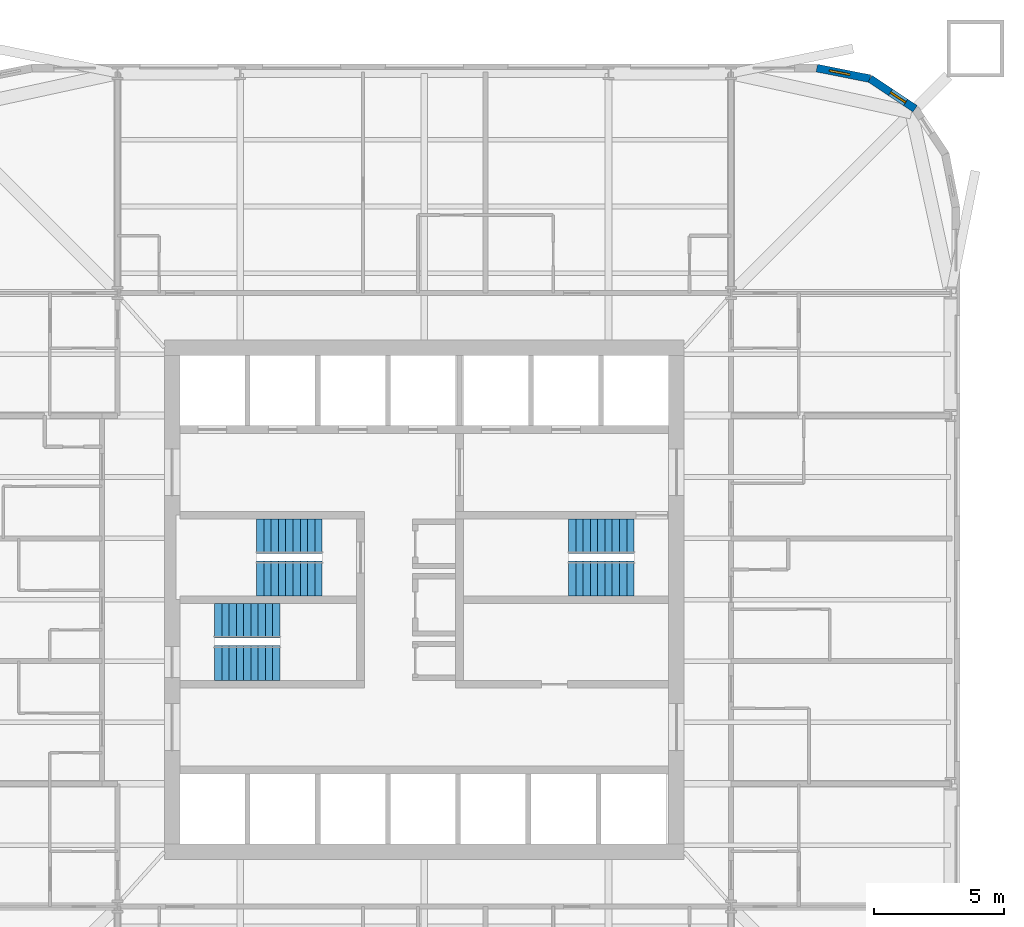
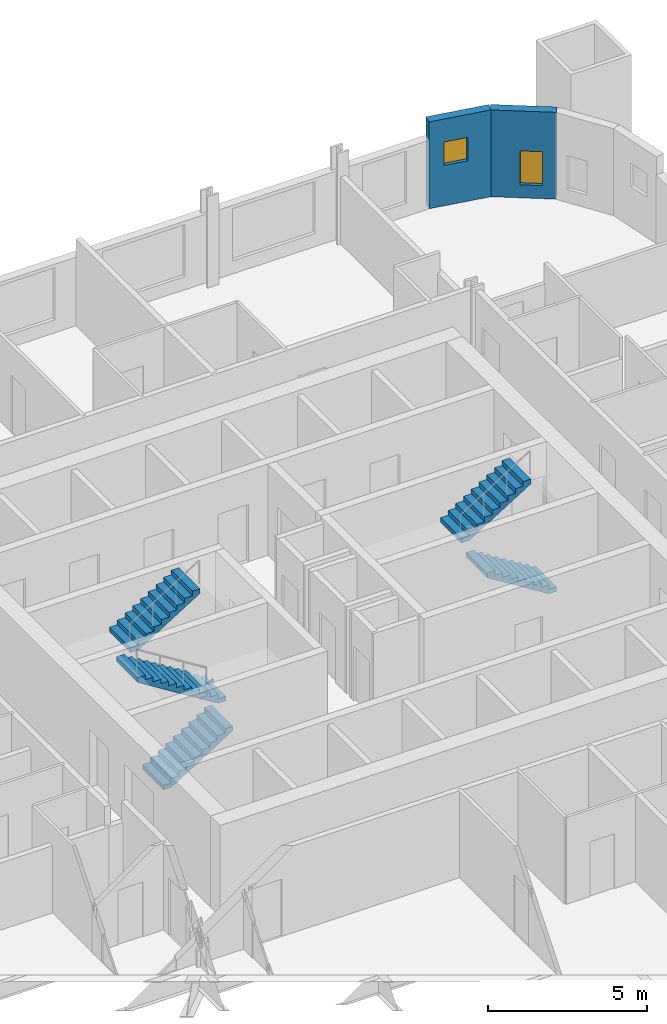
# One storey, part 8 of 9: 6 stair flights, 2 walls, 2 windows, 2 openings, 3 elements without a shape of their own.
"""IFC4 building model written with IfcOpenShell, lengths in metres."""

from ifc_helpers import new_model, si_unit, direction, frame, frame_2d, origin, place, context, subcontext, project, spatial, polyline, rectangle, outline, extrude, material, layer, layer_set, type_object, element, fill, aggregate, save


model = new_model("IFC4")

# Units and contexts
model_context = context("Model", 3, precision=1e-05, world=origin(), true_north=direction((0.0, 1.0)))
body_context = subcontext(model_context, "Body", "Model", "MODEL_VIEW")
ifc_project = project(units=[si_unit("LENGTHUNIT", "METRE"), si_unit("AREAUNIT", "SQUARE_METRE"), si_unit("VOLUMEUNIT", "CUBIC_METRE"), si_unit("PLANEANGLEUNIT", "RADIAN"), si_unit("MASSUNIT", "GRAM", prefix="KILO")], contexts=[model_context])

# Site, building, storey
site_placement = place(None, origin())
site = spatial("IfcSite", under=ifc_project, at=site_placement, CompositionType="ELEMENT")
building_placement = place(site_placement, origin())
building = spatial("IfcBuilding", under=site, at=building_placement, Name="Turquesa Mirador Hotel Tower", CompositionType="ELEMENT")
storey_placement = place(building_placement, frame((0.0, 0.0, 149.39990234375)))
storey = spatial("IfcBuildingStorey", under=building, at=storey_placement, Name="L40", CompositionType="ELEMENT", Elevation=149.39990234375)

# Wall, opening, window
ifc_material_1 = material(Name="Limestone cladding on concrete block", Category="masonry")
ifc_layer = layer(ifc_material_1, 0.300048828125)
ifc_layer_set = layer_set([ifc_layer], Name="FACADE WALL 300 STONE SCREEN")
wall_type = type_object("IfcWallType", Name="FACADE WALL 300 STONE SCREEN", PredefinedType="SOLIDWALL", material=ifc_layer_set)
wall_1_placement = place(storey_placement, frame((73.883056640625, 63.883056640625, 0.0), z_axis=(0.0, 0.0, 1.0), x_axis=(-0.831474039234, 0.555563607591, 0.0)))
wall_1 = element("IfcWall", 1, at=wall_1_placement, inside=storey, type_object=wall_type, Name="Facade wall L40 07", PredefinedType="SOLIDWALL", context=body_context, shape_type="SweptSolid", body=[
    extrude(rectangle(XDim=2.08740234375, YDim=0.300048828125, at=frame_2d((1.043701171875, 0.0))), origin(), (0.0, 0.0, 1.0), 3.330078125),
])
opening_1_placement = place(wall_1_placement, frame((0.443603515625, 0.0, 0.5)))
opening_1 = element("IfcOpeningElement", 2, at=opening_1_placement, cuts=wall_1, Name="Opening WN17", PredefinedType="OPENING", context=body_context, shape_type="SweptSolid", body=[
    extrude(rectangle(XDim=0.699951171875, YDim=1.300048828125, at=frame_2d((0.35009765625, 0.64990234375))), frame((0.0, 0.159912109375, 0.0), z_axis=(0.0, -1.0, 0.0), x_axis=(1.0, 0.0, 0.0)), (0.0, 0.0, 1.0), 0.320068359375),
])
ifc_material_2 = material(Name="Ceramic-fritted laminated glass", Category="glass")
window_type_1 = type_object("IfcWindowType", Name="FRITTED CORNER WINDOW 700X1300", PartitioningType="DOUBLE_PANEL_HORIZONTAL", PredefinedType="WINDOW", material=ifc_material_2)
window_1_placement = place(opening_1_placement, origin())
window_1 = element("IfcWindow", 3, at=window_1_placement, inside=storey, type_object=window_type_1, Name="Window L40", OverallHeight=1.300048828125, OverallWidth=0.699951171875, PartitioningType="SINGLE_PANEL", PredefinedType="WINDOW", context=body_context, shape_type="SweptSolid", body=[
    extrude(rectangle(XDim=0.699951171875, YDim=1.300048828125, at=frame_2d((0.35009765625, 0.64990234375))), frame((0.0, 0.030029296875, 0.0), z_axis=(0.0, -1.0, 0.0), x_axis=(1.0, 0.0, 0.0)), (0.0, 0.0, 1.0), 0.06005859375),
])
fill(opening_1, window_1)

wall_2_placement = place(storey_placement, frame((72.1474609375, 65.042724609375, 0.0), z_axis=(0.0, 0.0, 1.0), x_axis=(-0.980787050784, 0.195081421501, 0.0)))
wall_2 = element("IfcWall", 4, at=wall_2_placement, inside=storey, type_object=wall_type, Name="Facade wall L40 08", PredefinedType="SOLIDWALL", context=body_context, shape_type="SweptSolid", body=[
    extrude(rectangle(XDim=2.08740234375, YDim=0.300048828125, at=frame_2d((1.043701171875, 0.0))), origin(), (0.0, 0.0, 1.0), 3.330078125),
])
opening_2_placement = place(wall_2_placement, frame((0.793701171875, 0.0, 1.550048828125)))
opening_2 = element("IfcOpeningElement", 5, at=opening_2_placement, cuts=wall_2, Name="Opening WN18", PredefinedType="OPENING", context=body_context, shape_type="SweptSolid", body=[
    extrude(rectangle(XDim=0.800048828125, YDim=0.89990234375, at=frame_2d((0.39990234375, 0.449951171875))), frame((0.0, 0.159912109375, 0.0), z_axis=(0.0, -1.0, 0.0), x_axis=(1.0, 0.0, 0.0)), (0.0, 0.0, 1.0), 0.320068359375),
])
ifc_material_3 = material(Name="Ceramic-fritted laminated glass", Category="glass")
window_type_2 = type_object("IfcWindowType", Name="FRITTED CORNER WINDOW 800X900", PartitioningType="DOUBLE_PANEL_HORIZONTAL", PredefinedType="WINDOW", material=ifc_material_3)
window_2_placement = place(opening_2_placement, origin())
window_2 = element("IfcWindow", 6, at=window_2_placement, inside=storey, type_object=window_type_2, Name="Window L40", OverallHeight=0.89990234375, OverallWidth=0.800048828125, PartitioningType="SINGLE_PANEL", PredefinedType="WINDOW", context=body_context, shape_type="SweptSolid", body=[
    extrude(rectangle(XDim=0.800048828125, YDim=0.89990234375, at=frame_2d((0.39990234375, 0.449951171875))), frame((0.0, 0.030029296875, 0.0), z_axis=(0.0, -1.0, 0.0), x_axis=(1.0, 0.0, 0.0)), (0.0, 0.0, 1.0), 0.06005859375),
])
fill(opening_2, window_2)

# Stair, stair flights
ifc_material_4 = material(Name="Concrete C35/45", Category="concrete")
stair_type = type_object("IfcStairType", Name="ESCAPE STAIR CORE", PredefinedType="HALF_TURN_STAIR", material=ifc_material_4)
stair_1_placement = place(storey_placement, origin())
stair_1 = element("IfcStair", 7, at=stair_1_placement, inside=storey, type_object=stair_type, Name="Stair ST1 L40 to L41", PredefinedType="HALF_TURN_STAIR")
ifc_material_5 = material(Name="Concrete C35/45 precast flight", Category="concrete")
stair_flight_type = type_object("IfcStairFlightType", Name="STAIR FLIGHT 1330", PredefinedType="STRAIGHT", material=ifc_material_5)
stair_flight_1_placement = place(storey_placement, frame((51.070068359375, 45.81494140625, 0.0), z_axis=(0.0, 0.0, 1.0), x_axis=(-1.0, 0.0, 0.0)))
stair_flight_1 = element("IfcStairFlight", 8, at=stair_flight_1_placement, type_object=stair_flight_type, Name="ST1 flight 1", NumberOfRisers=10, NumberOfTreads=9, PredefinedType="STRAIGHT", RiserHeight=0.175, TreadLength=0.28, context=body_context, shape_type="SweptSolid", body=[
    extrude(outline(polyline([(0.0, 0.0), (0.0, 0.175048828125), (0.280029296875, 0.175048828125), (0.280029296875, 0.35009765625), (0.56005859375, 0.35009765625), (0.56005859375, 0.52490234375), (0.840087890625, 0.52490234375), (0.840087890625, 0.699951171875), (1.1201171875, 0.699951171875), (1.1201171875, 0.875), (1.39990234375, 0.875), (1.39990234375, 1.050048828125), (1.679931640625, 1.050048828125), (1.679931640625, 1.22509765625), (1.9599609375, 1.22509765625), (1.9599609375, 1.39990234375), (2.239990234375, 1.39990234375), (2.239990234375, 1.574951171875), (2.52001953125, 1.574951171875), (2.52001953125, 1.75), (2.52001953125, 1.398193359375), (0.28271484375, 0.0), (0.0, 0.0)])), frame((0.0, 0.6650390625, 0.0), z_axis=(0.0, -1.0, 0.0), x_axis=(1.0, 0.0, 0.0)), (0.0, 0.0, 1.0), 1.330078125),
])
stair_flight_2_placement = place(storey_placement, frame((48.550048828125, 47.43505859375, 1.75), z_axis=(0.0, 0.0, 1.0), x_axis=(1.0, 0.0, 0.0)))
stair_flight_2 = element("IfcStairFlight", 9, at=stair_flight_2_placement, type_object=stair_flight_type, Name="ST1 flight 2", NumberOfRisers=10, NumberOfTreads=9, PredefinedType="STRAIGHT", RiserHeight=0.175, TreadLength=0.28, context=body_context, shape_type="SweptSolid", body=[
    extrude(outline(polyline([(0.0, 0.0), (0.0, 0.175048828125), (0.280029296875, 0.175048828125), (0.280029296875, 0.35009765625), (0.56005859375, 0.35009765625), (0.56005859375, 0.52490234375), (0.840087890625, 0.52490234375), (0.840087890625, 0.699951171875), (1.1201171875, 0.699951171875), (1.1201171875, 0.875), (1.39990234375, 0.875), (1.39990234375, 1.050048828125), (1.679931640625, 1.050048828125), (1.679931640625, 1.22509765625), (1.9599609375, 1.22509765625), (1.9599609375, 1.39990234375), (2.239990234375, 1.39990234375), (2.239990234375, 1.574951171875), (2.52001953125, 1.574951171875), (2.52001953125, 1.75), (2.52001953125, 1.398193359375), (0.28271484375, 0.0), (0.0, 0.0)])), frame((0.0, 0.6650390625, 0.0), z_axis=(0.0, -1.0, 0.0), x_axis=(1.0, 0.0, 0.0)), (0.0, 0.0, 1.0), 1.330078125),
])
aggregate(stair_1, [stair_flight_1, stair_flight_2])

stair_2_placement = place(storey_placement, origin())
stair_2 = element("IfcStair", 10, at=stair_2_placement, inside=storey, type_object=stair_type, Name="Stair ST2 L40 to L41", PredefinedType="HALF_TURN_STAIR")
stair_flight_3_placement = place(storey_placement, frame((46.929931640625, 42.56494140625, 0.0), z_axis=(0.0, 0.0, 1.0), x_axis=(1.0, 0.0, 0.0)))
stair_flight_3 = element("IfcStairFlight", 11, at=stair_flight_3_placement, type_object=stair_flight_type, Name="ST2 flight 1", NumberOfRisers=10, NumberOfTreads=9, PredefinedType="STRAIGHT", RiserHeight=0.175, TreadLength=0.28, context=body_context, shape_type="SweptSolid", body=[
    extrude(outline(polyline([(0.0, 0.0), (0.0, 0.175048828125), (0.280029296875, 0.175048828125), (0.280029296875, 0.35009765625), (0.56005859375, 0.35009765625), (0.56005859375, 0.52490234375), (0.840087890625, 0.52490234375), (0.840087890625, 0.699951171875), (1.1201171875, 0.699951171875), (1.1201171875, 0.875), (1.39990234375, 0.875), (1.39990234375, 1.050048828125), (1.679931640625, 1.050048828125), (1.679931640625, 1.22509765625), (1.9599609375, 1.22509765625), (1.9599609375, 1.39990234375), (2.239990234375, 1.39990234375), (2.239990234375, 1.574951171875), (2.52001953125, 1.574951171875), (2.52001953125, 1.75), (2.52001953125, 1.398193359375), (0.28271484375, 0.0), (0.0, 0.0)])), frame((0.0, 0.6650390625, 0.0), z_axis=(0.0, -1.0, 0.0), x_axis=(1.0, 0.0, 0.0)), (0.0, 0.0, 1.0), 1.330078125),
])
stair_flight_4_placement = place(storey_placement, frame((49.449951171875, 44.18505859375, 1.75), z_axis=(0.0, 0.0, 1.0), x_axis=(-1.0, 0.0, 0.0)))
stair_flight_4 = element("IfcStairFlight", 12, at=stair_flight_4_placement, type_object=stair_flight_type, Name="ST2 flight 2", NumberOfRisers=10, NumberOfTreads=9, PredefinedType="STRAIGHT", RiserHeight=0.175, TreadLength=0.28, context=body_context, shape_type="SweptSolid", body=[
    extrude(outline(polyline([(0.0, 0.0), (0.0, 0.175048828125), (0.280029296875, 0.175048828125), (0.280029296875, 0.35009765625), (0.56005859375, 0.35009765625), (0.56005859375, 0.52490234375), (0.840087890625, 0.52490234375), (0.840087890625, 0.699951171875), (1.1201171875, 0.699951171875), (1.1201171875, 0.875), (1.39990234375, 0.875), (1.39990234375, 1.050048828125), (1.679931640625, 1.050048828125), (1.679931640625, 1.22509765625), (1.9599609375, 1.22509765625), (1.9599609375, 1.39990234375), (2.239990234375, 1.39990234375), (2.239990234375, 1.574951171875), (2.52001953125, 1.574951171875), (2.52001953125, 1.75), (2.52001953125, 1.398193359375), (0.28271484375, 0.0), (0.0, 0.0)])), frame((0.0, 0.6650390625, 0.0), z_axis=(0.0, -1.0, 0.0), x_axis=(1.0, 0.0, 0.0)), (0.0, 0.0, 1.0), 1.330078125),
])
aggregate(stair_2, [stair_flight_3, stair_flight_4])

stair_3_placement = place(storey_placement, origin())
stair_3 = element("IfcStair", 13, at=stair_3_placement, inside=storey, type_object=stair_type, Name="Stair ST3 L40 to L41", PredefinedType="HALF_TURN_STAIR")
stair_flight_5_placement = place(storey_placement, frame((63.070068359375, 45.81494140625, 0.0), z_axis=(0.0, 0.0, 1.0), x_axis=(-1.0, 0.0, 0.0)))
stair_flight_5 = element("IfcStairFlight", 14, at=stair_flight_5_placement, type_object=stair_flight_type, Name="ST3 flight 1", NumberOfRisers=10, NumberOfTreads=9, PredefinedType="STRAIGHT", RiserHeight=0.175, TreadLength=0.28, context=body_context, shape_type="SweptSolid", body=[
    extrude(outline(polyline([(0.0, 0.0), (0.0, 0.175048828125), (0.280029296875, 0.175048828125), (0.280029296875, 0.35009765625), (0.56005859375, 0.35009765625), (0.56005859375, 0.52490234375), (0.840087890625, 0.52490234375), (0.840087890625, 0.699951171875), (1.1201171875, 0.699951171875), (1.1201171875, 0.875), (1.39990234375, 0.875), (1.39990234375, 1.050048828125), (1.679931640625, 1.050048828125), (1.679931640625, 1.22509765625), (1.9599609375, 1.22509765625), (1.9599609375, 1.39990234375), (2.239990234375, 1.39990234375), (2.239990234375, 1.574951171875), (2.52001953125, 1.574951171875), (2.52001953125, 1.75), (2.52001953125, 1.398193359375), (0.28271484375, 0.0), (0.0, 0.0)])), frame((0.0, 0.6650390625, 0.0), z_axis=(0.0, -1.0, 0.0), x_axis=(1.0, 0.0, 0.0)), (0.0, 0.0, 1.0), 1.330078125),
])
stair_flight_6_placement = place(storey_placement, frame((60.550048828125, 47.43505859375, 1.75), z_axis=(0.0, 0.0, 1.0), x_axis=(1.0, 0.0, 0.0)))
stair_flight_6 = element("IfcStairFlight", 15, at=stair_flight_6_placement, type_object=stair_flight_type, Name="ST3 flight 2", NumberOfRisers=10, NumberOfTreads=9, PredefinedType="STRAIGHT", RiserHeight=0.175, TreadLength=0.28, context=body_context, shape_type="SweptSolid", body=[
    extrude(outline(polyline([(0.0, 0.0), (0.0, 0.175048828125), (0.280029296875, 0.175048828125), (0.280029296875, 0.35009765625), (0.56005859375, 0.35009765625), (0.56005859375, 0.52490234375), (0.840087890625, 0.52490234375), (0.840087890625, 0.699951171875), (1.1201171875, 0.699951171875), (1.1201171875, 0.875), (1.39990234375, 0.875), (1.39990234375, 1.050048828125), (1.679931640625, 1.050048828125), (1.679931640625, 1.22509765625), (1.9599609375, 1.22509765625), (1.9599609375, 1.39990234375), (2.239990234375, 1.39990234375), (2.239990234375, 1.574951171875), (2.52001953125, 1.574951171875), (2.52001953125, 1.75), (2.52001953125, 1.398193359375), (0.28271484375, 0.0), (0.0, 0.0)])), frame((0.0, 0.6650390625, 0.0), z_axis=(0.0, -1.0, 0.0), x_axis=(1.0, 0.0, 0.0)), (0.0, 0.0, 1.0), 1.330078125),
])
aggregate(stair_3, [stair_flight_5, stair_flight_6])

save(model, "model.ifc")
